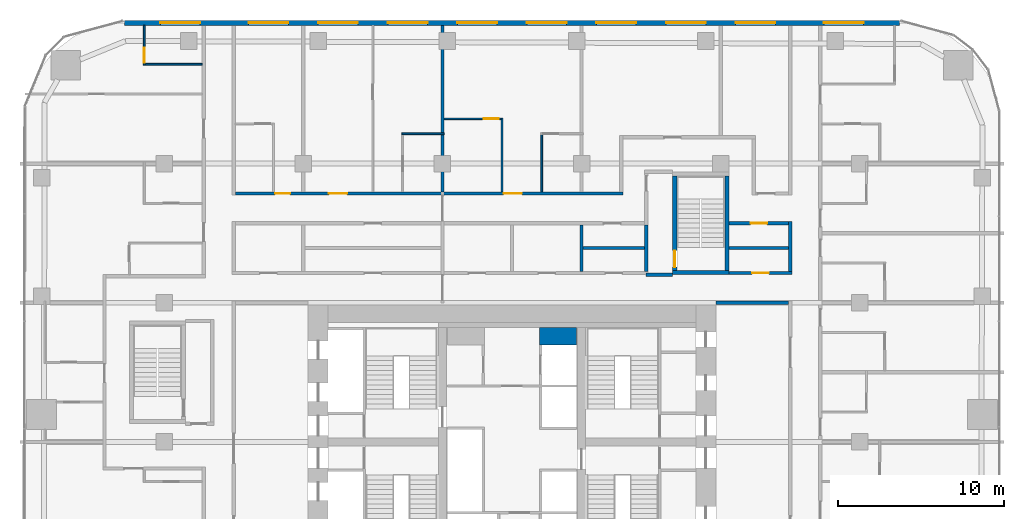
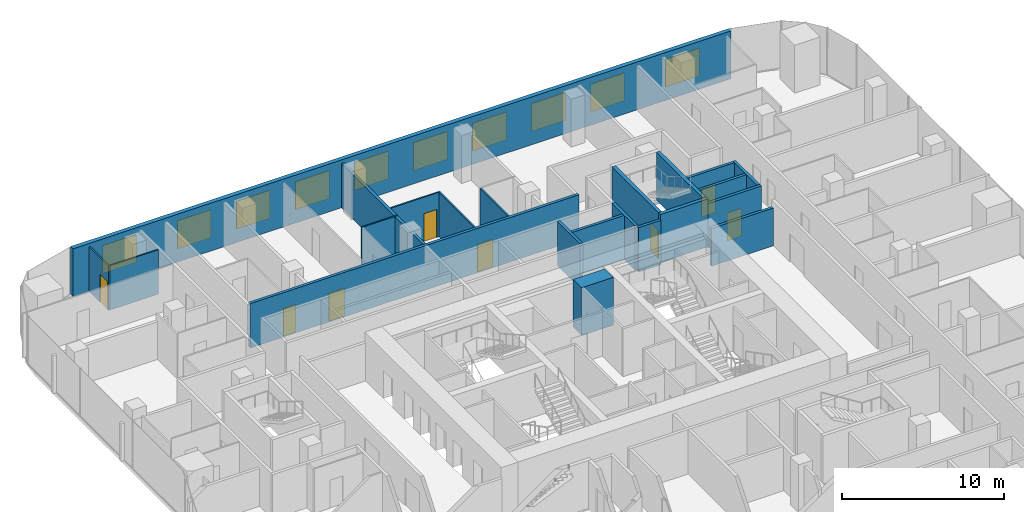
# One storey, part 22 of 26: 22 walls, 10 windows, 8 doors, 18 openings.
"""IFC4 building model written with IfcOpenShell, lengths in metres."""

from ifc_helpers import new_model, si_unit, direction, frame, frame_2d, origin, place, context, subcontext, project, spatial, rectangle, extrude, material, layer, layer_set, type_object, element, fill, save


model = new_model("IFC4")

# Units and contexts
model_context = context("Model", 3, precision=1e-05, world=origin(), true_north=direction((0.0, 1.0)))
body_context = subcontext(model_context, "Body", "Model", "MODEL_VIEW")
ifc_project = project(units=[si_unit("LENGTHUNIT", "METRE"), si_unit("AREAUNIT", "SQUARE_METRE"), si_unit("VOLUMEUNIT", "CUBIC_METRE"), si_unit("PLANEANGLEUNIT", "RADIAN"), si_unit("MASSUNIT", "GRAM", prefix="KILO")], contexts=[model_context])

# Site, building, storey
site_placement = place(None, origin())
site = spatial("IfcSite", under=ifc_project, at=site_placement, CompositionType="ELEMENT")
building_placement = place(site_placement, origin())
building = spatial("IfcBuilding", under=site, at=building_placement, Name="Marenta Gate Hotel Tower", CompositionType="ELEMENT")
storey_placement = place(building_placement, frame((0.0, 0.0, 65.300048828125)))
storey = spatial("IfcBuildingStorey", under=building, at=storey_placement, Name="L14", CompositionType="ELEMENT", Elevation=65.300048828125)

# Wall, openings, windows
ifc_material_1 = material(Name="Concrete C40 board-marked", Category="concrete")
ifc_layer_1 = layer(ifc_material_1, 0.300048828125)
ifc_layer_set_1 = layer_set([ifc_layer_1], Name="Concrete C40 board-marked")
wall_type_1 = type_object("IfcWallType", Name="Board-marked concrete wall 300 mm", PredefinedType="NOTDEFINED", material=ifc_layer_set_1)
wall_1_placement = place(storey_placement, frame((23.406005859375, 33.68994140625, 0.0), z_axis=(0.0, 0.0, 1.0), x_axis=(-1.0, 0.0, 0.0)))
wall_1 = element("IfcWall", 1, at=wall_1_placement, inside=storey, type_object=wall_type_1, Name="L14-CLD-N00", PredefinedType="NOTDEFINED", context=body_context, shape_type="SweptSolid", body=[
    extrude(rectangle(XDim=46.81201171875, YDim=0.300048828125, at=frame_2d((23.406005859375, 0.0))), origin(), (0.0, 0.0, 1.0), 3.599853515625),
])
opening_1_placement = place(wall_1_placement, frame((2.185791015625, 0.0, 0.89990234375)))
opening_1 = element("IfcOpeningElement", 2, at=opening_1_placement, cuts=wall_1, Name="Opening W1", PredefinedType="OPENING", context=body_context, shape_type="SweptSolid", body=[
    extrude(rectangle(XDim=2.39990234375, YDim=2.10009765625, at=frame_2d((1.199951171875, 1.050048828125))), frame((0.0, 0.14990234375, 0.0), z_axis=(0.0, -1.0, 0.0), x_axis=(1.0, 0.0, 0.0)), (0.0, 0.0, 1.0), 0.300048828125),
])
opening_2_placement = place(wall_1_placement, frame((7.505859375, 0.0, 0.89990234375)))
opening_2 = element("IfcOpeningElement", 3, at=opening_2_placement, cuts=wall_1, Name="Opening W1", PredefinedType="OPENING", context=body_context, shape_type="SweptSolid", body=[
    extrude(rectangle(XDim=2.39990234375, YDim=2.10009765625, at=frame_2d((1.199951171875, 1.050048828125))), frame((0.0, 0.14990234375, 0.0), z_axis=(0.0, -1.0, 0.0), x_axis=(1.0, 0.0, 0.0)), (0.0, 0.0, 1.0), 0.300048828125),
])
opening_3_placement = place(wall_1_placement, frame((11.705810546875, 0.0, 0.89990234375)))
opening_3 = element("IfcOpeningElement", 4, at=opening_3_placement, cuts=wall_1, Name="Opening W1", PredefinedType="OPENING", context=body_context, shape_type="SweptSolid", body=[
    extrude(rectangle(XDim=2.39990234375, YDim=2.10009765625, at=frame_2d((1.199951171875, 1.050048828125))), frame((0.0, 0.14990234375, 0.0), z_axis=(0.0, -1.0, 0.0), x_axis=(1.0, 0.0, 0.0)), (0.0, 0.0, 1.0), 0.300048828125),
])
opening_4_placement = place(wall_1_placement, frame((15.906005859375, 0.0, 0.89990234375)))
opening_4 = element("IfcOpeningElement", 5, at=opening_4_placement, cuts=wall_1, Name="Opening W1", PredefinedType="OPENING", context=body_context, shape_type="SweptSolid", body=[
    extrude(rectangle(XDim=2.39990234375, YDim=2.10009765625, at=frame_2d((1.199951171875, 1.050048828125))), frame((0.0, 0.14990234375, 0.0), z_axis=(0.0, -1.0, 0.0), x_axis=(1.0, 0.0, 0.0)), (0.0, 0.0, 1.0), 0.300048828125),
])
opening_5_placement = place(wall_1_placement, frame((20.10595703125, 0.0, 0.89990234375)))
opening_5 = element("IfcOpeningElement", 6, at=opening_5_placement, cuts=wall_1, Name="Opening W1", PredefinedType="OPENING", context=body_context, shape_type="SweptSolid", body=[
    extrude(rectangle(XDim=2.39990234375, YDim=2.10009765625, at=frame_2d((1.199951171875, 1.050048828125))), frame((0.0, 0.14990234375, 0.0), z_axis=(0.0, -1.0, 0.0), x_axis=(1.0, 0.0, 0.0)), (0.0, 0.0, 1.0), 0.300048828125),
])
opening_6_placement = place(wall_1_placement, frame((24.305908203125, 0.0, 0.89990234375)))
opening_6 = element("IfcOpeningElement", 7, at=opening_6_placement, cuts=wall_1, Name="Opening W1", PredefinedType="OPENING", context=body_context, shape_type="SweptSolid", body=[
    extrude(rectangle(XDim=2.39990234375, YDim=2.10009765625, at=frame_2d((1.199951171875, 1.050048828125))), frame((0.0, 0.14990234375, 0.0), z_axis=(0.0, -1.0, 0.0), x_axis=(1.0, 0.0, 0.0)), (0.0, 0.0, 1.0), 0.300048828125),
])
opening_7_placement = place(wall_1_placement, frame((28.505859375, 0.0, 0.89990234375)))
opening_7 = element("IfcOpeningElement", 8, at=opening_7_placement, cuts=wall_1, Name="Opening W1", PredefinedType="OPENING", context=body_context, shape_type="SweptSolid", body=[
    extrude(rectangle(XDim=2.39990234375, YDim=2.10009765625, at=frame_2d((1.199951171875, 1.050048828125))), frame((0.0, 0.14990234375, 0.0), z_axis=(0.0, -1.0, 0.0), x_axis=(1.0, 0.0, 0.0)), (0.0, 0.0, 1.0), 0.300048828125),
])
opening_8_placement = place(wall_1_placement, frame((32.705810546875, 0.0, 0.89990234375)))
opening_8 = element("IfcOpeningElement", 9, at=opening_8_placement, cuts=wall_1, Name="Opening W1", PredefinedType="OPENING", context=body_context, shape_type="SweptSolid", body=[
    extrude(rectangle(XDim=2.39990234375, YDim=2.10009765625, at=frame_2d((1.199951171875, 1.050048828125))), frame((0.0, 0.14990234375, 0.0), z_axis=(0.0, -1.0, 0.0), x_axis=(1.0, 0.0, 0.0)), (0.0, 0.0, 1.0), 0.300048828125),
])
opening_9_placement = place(wall_1_placement, frame((36.906005859375, 0.0, 0.89990234375)))
opening_9 = element("IfcOpeningElement", 10, at=opening_9_placement, cuts=wall_1, Name="Opening W1", PredefinedType="OPENING", context=body_context, shape_type="SweptSolid", body=[
    extrude(rectangle(XDim=2.39990234375, YDim=2.10009765625, at=frame_2d((1.199951171875, 1.050048828125))), frame((0.0, 0.14990234375, 0.0), z_axis=(0.0, -1.0, 0.0), x_axis=(1.0, 0.0, 0.0)), (0.0, 0.0, 1.0), 0.300048828125),
])
opening_10_placement = place(wall_1_placement, frame((42.225830078125, 0.0, 0.89990234375)))
opening_10 = element("IfcOpeningElement", 11, at=opening_10_placement, cuts=wall_1, Name="Opening W1", PredefinedType="OPENING", context=body_context, shape_type="SweptSolid", body=[
    extrude(rectangle(XDim=2.39990234375, YDim=2.10009765625, at=frame_2d((1.199951171875, 1.050048828125))), frame((0.0, 0.14990234375, 0.0), z_axis=(0.0, -1.0, 0.0), x_axis=(1.0, 0.0, 0.0)), (0.0, 0.0, 1.0), 0.300048828125),
])
ifc_material_2 = material(Name="Tinted insulated glass in bronze anodised frame", Category="glass")
window_type = type_object("IfcWindowType", Name="Window W1 2400x2100 bronze frame", PartitioningType="SINGLE_PANEL", PredefinedType="WINDOW", material=ifc_material_2)
window_1_placement = place(opening_1_placement, origin())
window_1 = element("IfcWindow", 12, at=window_1_placement, inside=storey, type_object=window_type, Name="Window W1", OverallHeight=2.10009765625, OverallWidth=2.39990234375, PartitioningType="SINGLE_PANEL", PredefinedType="WINDOW", context=body_context, shape_type="SweptSolid", body=[
    extrude(rectangle(XDim=2.39990234375, YDim=2.10009765625, at=frame_2d((1.199951171875, 1.050048828125))), frame((0.0, 0.030029296875, 0.0), z_axis=(0.0, -1.0, 0.0), x_axis=(1.0, 0.0, 0.0)), (0.0, 0.0, 1.0), 0.06005859375),
])
fill(opening_1, window_1)
window_2_placement = place(opening_2_placement, origin())
window_2 = element("IfcWindow", 13, at=window_2_placement, inside=storey, type_object=window_type, Name="Window W1", OverallHeight=2.10009765625, OverallWidth=2.39990234375, PartitioningType="SINGLE_PANEL", PredefinedType="WINDOW", context=body_context, shape_type="SweptSolid", body=[
    extrude(rectangle(XDim=2.39990234375, YDim=2.10009765625, at=frame_2d((1.199951171875, 1.050048828125))), frame((0.0, 0.030029296875, 0.0), z_axis=(0.0, -1.0, 0.0), x_axis=(1.0, 0.0, 0.0)), (0.0, 0.0, 1.0), 0.06005859375),
])
fill(opening_2, window_2)
window_3_placement = place(opening_3_placement, origin())
window_3 = element("IfcWindow", 14, at=window_3_placement, inside=storey, type_object=window_type, Name="Window W1", OverallHeight=2.10009765625, OverallWidth=2.39990234375, PartitioningType="SINGLE_PANEL", PredefinedType="WINDOW", context=body_context, shape_type="SweptSolid", body=[
    extrude(rectangle(XDim=2.39990234375, YDim=2.10009765625, at=frame_2d((1.199951171875, 1.050048828125))), frame((0.0, 0.030029296875, 0.0), z_axis=(0.0, -1.0, 0.0), x_axis=(1.0, 0.0, 0.0)), (0.0, 0.0, 1.0), 0.06005859375),
])
fill(opening_3, window_3)
window_4_placement = place(opening_4_placement, origin())
window_4 = element("IfcWindow", 15, at=window_4_placement, inside=storey, type_object=window_type, Name="Window W1", OverallHeight=2.10009765625, OverallWidth=2.39990234375, PartitioningType="SINGLE_PANEL", PredefinedType="WINDOW", context=body_context, shape_type="SweptSolid", body=[
    extrude(rectangle(XDim=2.39990234375, YDim=2.10009765625, at=frame_2d((1.199951171875, 1.050048828125))), frame((0.0, 0.030029296875, 0.0), z_axis=(0.0, -1.0, 0.0), x_axis=(1.0, 0.0, 0.0)), (0.0, 0.0, 1.0), 0.06005859375),
])
fill(opening_4, window_4)
window_5_placement = place(opening_5_placement, origin())
window_5 = element("IfcWindow", 16, at=window_5_placement, inside=storey, type_object=window_type, Name="Window W1", OverallHeight=2.10009765625, OverallWidth=2.39990234375, PartitioningType="SINGLE_PANEL", PredefinedType="WINDOW", context=body_context, shape_type="SweptSolid", body=[
    extrude(rectangle(XDim=2.39990234375, YDim=2.10009765625, at=frame_2d((1.199951171875, 1.050048828125))), frame((0.0, 0.030029296875, 0.0), z_axis=(0.0, -1.0, 0.0), x_axis=(1.0, 0.0, 0.0)), (0.0, 0.0, 1.0), 0.06005859375),
])
fill(opening_5, window_5)
window_6_placement = place(opening_6_placement, origin())
window_6 = element("IfcWindow", 17, at=window_6_placement, inside=storey, type_object=window_type, Name="Window W1", OverallHeight=2.10009765625, OverallWidth=2.39990234375, PartitioningType="SINGLE_PANEL", PredefinedType="WINDOW", context=body_context, shape_type="SweptSolid", body=[
    extrude(rectangle(XDim=2.39990234375, YDim=2.10009765625, at=frame_2d((1.199951171875, 1.050048828125))), frame((0.0, 0.030029296875, 0.0), z_axis=(0.0, -1.0, 0.0), x_axis=(1.0, 0.0, 0.0)), (0.0, 0.0, 1.0), 0.06005859375),
])
fill(opening_6, window_6)
window_7_placement = place(opening_7_placement, origin())
window_7 = element("IfcWindow", 18, at=window_7_placement, inside=storey, type_object=window_type, Name="Window W1", OverallHeight=2.10009765625, OverallWidth=2.39990234375, PartitioningType="SINGLE_PANEL", PredefinedType="WINDOW", context=body_context, shape_type="SweptSolid", body=[
    extrude(rectangle(XDim=2.39990234375, YDim=2.10009765625, at=frame_2d((1.199951171875, 1.050048828125))), frame((0.0, 0.030029296875, 0.0), z_axis=(0.0, -1.0, 0.0), x_axis=(1.0, 0.0, 0.0)), (0.0, 0.0, 1.0), 0.06005859375),
])
fill(opening_7, window_7)
window_8_placement = place(opening_8_placement, origin())
window_8 = element("IfcWindow", 19, at=window_8_placement, inside=storey, type_object=window_type, Name="Window W1", OverallHeight=2.10009765625, OverallWidth=2.39990234375, PartitioningType="SINGLE_PANEL", PredefinedType="WINDOW", context=body_context, shape_type="SweptSolid", body=[
    extrude(rectangle(XDim=2.39990234375, YDim=2.10009765625, at=frame_2d((1.199951171875, 1.050048828125))), frame((0.0, 0.030029296875, 0.0), z_axis=(0.0, -1.0, 0.0), x_axis=(1.0, 0.0, 0.0)), (0.0, 0.0, 1.0), 0.06005859375),
])
fill(opening_8, window_8)
window_9_placement = place(opening_9_placement, origin())
window_9 = element("IfcWindow", 20, at=window_9_placement, inside=storey, type_object=window_type, Name="Window W1", OverallHeight=2.10009765625, OverallWidth=2.39990234375, PartitioningType="SINGLE_PANEL", PredefinedType="WINDOW", context=body_context, shape_type="SweptSolid", body=[
    extrude(rectangle(XDim=2.39990234375, YDim=2.10009765625, at=frame_2d((1.199951171875, 1.050048828125))), frame((0.0, 0.030029296875, 0.0), z_axis=(0.0, -1.0, 0.0), x_axis=(1.0, 0.0, 0.0)), (0.0, 0.0, 1.0), 0.06005859375),
])
fill(opening_9, window_9)
window_10_placement = place(opening_10_placement, origin())
window_10 = element("IfcWindow", 21, at=window_10_placement, inside=storey, type_object=window_type, Name="Window W1", OverallHeight=2.10009765625, OverallWidth=2.39990234375, PartitioningType="SINGLE_PANEL", PredefinedType="WINDOW", context=body_context, shape_type="SweptSolid", body=[
    extrude(rectangle(XDim=2.39990234375, YDim=2.10009765625, at=frame_2d((1.199951171875, 1.050048828125))), frame((0.0, 0.030029296875, 0.0), z_axis=(0.0, -1.0, 0.0), x_axis=(1.0, 0.0, 0.0)), (0.0, 0.0, 1.0), 0.06005859375),
])
fill(opening_10, window_10)

# Walls
ifc_material_3 = material(Name="Concrete blockwork", Category="masonry")
ifc_layer_2 = layer(ifc_material_3, 0.199951171875)
ifc_layer_set_2 = layer_set([ifc_layer_2], Name="Concrete blockwork")
wall_type_2 = type_object("IfcWallType", Name="Compartment wall 200 REI 180", PredefinedType="PARTITIONING", material=ifc_layer_set_2)
wall_2_placement = place(storey_placement, frame((-4.199951171875, 23.5, 0.0), z_axis=(0.0, 0.0, 1.0), x_axis=(0.0, 1.0, 0.0)))
element("IfcWall", 22, at=wall_2_placement, inside=storey, type_object=wall_type_2, Name="L14-PTN-W082", PredefinedType="PARTITIONING", context=body_context, shape_type="SweptSolid", body=[
    extrude(rectangle(XDim=10.0400390625, YDim=0.199951171875, at=frame_2d((5.02001953125, 0.0))), origin(), (0.0, 0.0, 1.0), 3.33984375),
])
ifc_material_4 = material(Name="Concrete blockwork", Category="masonry")
ifc_layer_3 = layer(ifc_material_4, 0.199951171875)
ifc_layer_set_3 = layer_set([ifc_layer_3], Name="Concrete blockwork")
wall_type_3 = type_object("IfcWallType", Name="Core boundary wall 200 REI 180", PredefinedType="PARTITIONING", material=ifc_layer_set_3)
wall_3_placement = place(storey_placement, frame((12.300048828125, 16.800048828125, 0.0), z_axis=(0.0, 0.0, 1.0), x_axis=(1.0, 0.0, 0.0)))
element("IfcWall", 23, at=wall_3_placement, inside=storey, type_object=wall_type_3, Name="L14-CP-EW-EN", PredefinedType="PARTITIONING", context=body_context, shape_type="SweptSolid", body=[
    extrude(rectangle(XDim=4.39990234375, YDim=0.199951171875, at=frame_2d((2.199951171875, 0.0))), origin(), (0.0, 0.0, 1.0), 2.83984375),
])
ifc_material_5 = material(Name="Concrete C40", Category="concrete")
ifc_layer_4 = layer(ifc_material_5, 1.050048828125)
ifc_layer_set_4 = layer_set([ifc_layer_4], Name="Concrete C40")
wall_type_4 = type_object("IfcWallType", Name="Core shaft wall 1050 REI 180", PredefinedType="SHEAR", material=ifc_layer_set_4)
wall_4_placement = place(storey_placement, frame((1.64990234375, 14.77490234375, 0.0), z_axis=(0.0, 0.0, 1.0), x_axis=(1.0, 0.0, 0.0)))
element("IfcWall", 24, at=wall_4_placement, inside=storey, type_object=wall_type_4, Name="L14-SHF-CE-N-top", PredefinedType="SHEAR", context=body_context, shape_type="SweptSolid", body=[
    extrude(rectangle(XDim=2.25, YDim=1.050048828125, at=frame_2d((1.125, 0.0))), origin(), (0.0, 0.0, 1.0), 3.599853515625),
])
ifc_material_6 = material(Name="Concrete C40", Category="concrete")
ifc_layer_5 = layer(ifc_material_6, 0.25)
ifc_layer_set_5 = layer_set([ifc_layer_5], Name="Concrete C40")
wall_type_5 = type_object("IfcWallType", Name="Remote stair enclosure wall 250 REI 180", PredefinedType="SHEAR", material=ifc_layer_set_5)
wall_5_placement = place(storey_placement, frame((9.699951171875, 18.625, 0.099853515625), z_axis=(0.0, 0.0, 1.0), x_axis=(1.0, 0.0, 0.0)))
element("IfcWall", 25, at=wall_5_placement, inside=storey, type_object=wall_type_5, Name="L14-RS-Z1-4-W1", PredefinedType="SHEAR", context=body_context, shape_type="SweptSolid", body=[
    extrude(rectangle(XDim=3.400146484375, YDim=0.25, at=frame_2d((1.7001953125, 0.0))), origin(), (0.0, 0.0, 1.0), 3.60009765625),
])

# Wall, opening, door
wall_6_placement = place(storey_placement, frame((9.824951171875, 18.75, 0.099853515625), z_axis=(0.0, 0.0, 1.0), x_axis=(0.0, 1.0, 0.0)))
wall_6 = element("IfcWall", 26, at=wall_6_placement, inside=storey, type_object=wall_type_5, Name="L14-RS-Z1-4-W3", PredefinedType="SHEAR", context=body_context, shape_type="SweptSolid", body=[
    extrude(rectangle(XDim=5.699951171875, YDim=0.25, at=frame_2d((2.85009765625, 0.0))), origin(), (0.0, 0.0, 1.0), 3.60009765625),
])
opening_11_placement = place(wall_6_placement, frame((0.199951171875, 0.0, 0.0)))
opening_11 = element("IfcOpeningElement", 27, at=opening_11_placement, cuts=wall_6, Name="Opening VD", PredefinedType="OPENING", context=body_context, shape_type="SweptSolid", body=[
    extrude(rectangle(XDim=1.0, YDim=2.10009765625, at=frame_2d((0.5, 1.050048828125))), frame((0.0, 0.125, 0.0), z_axis=(0.0, -1.0, 0.0), x_axis=(1.0, 0.0, 0.0)), (0.0, 0.0, 1.0), 0.25),
])
ifc_material_7 = material(Name="Steel", Category="steel")
door_type_1 = type_object("IfcDoorType", Name="Stair vestibule door 1000x2100 FD60", OperationType="SINGLE_SWING_LEFT", PredefinedType="DOOR", material=ifc_material_7)
door_1_placement = place(opening_11_placement, origin())
door_1 = element("IfcDoor", 28, at=door_1_placement, inside=storey, type_object=door_type_1, Name="VD", OperationType="SINGLE_SWING_LEFT", OverallHeight=2.10009765625, OverallWidth=1.0, PredefinedType="DOOR", context=body_context, shape_type="SweptSolid", body=[
    extrude(rectangle(XDim=1.0, YDim=2.10009765625, at=frame_2d((0.5, 1.050048828125))), frame((0.0, 0.02490234375, 0.0), z_axis=(0.0, -1.0, 0.0), x_axis=(1.0, 0.0, 0.0)), (0.0, 0.0, 1.0), 0.050048828125),
])
fill(opening_11, door_1)

# Walls
wall_7_placement = place(storey_placement, frame((12.97509765625, 18.75, 0.099853515625), z_axis=(0.0, 0.0, 1.0), x_axis=(0.0, 1.0, 0.0)))
element("IfcWall", 29, at=wall_7_placement, inside=storey, type_object=wall_type_5, Name="L14-RS-Z1-4-W4", PredefinedType="SHEAR", context=body_context, shape_type="SweptSolid", body=[
    extrude(rectangle(XDim=5.699951171875, YDim=0.25, at=frame_2d((2.85009765625, 0.0))), origin(), (0.0, 0.0, 1.0), 3.60009765625),
])
ifc_material_8 = material(Name="Gypsum board on steel stud", Category="steel")
ifc_layer_6 = layer(ifc_material_8, 0.199951171875)
ifc_layer_set_6 = layer_set([ifc_layer_6], Name="Gypsum board on steel stud")
wall_type_6 = type_object("IfcWallType", Name="Room corridor wall 200 EI 60", PredefinedType="PARTITIONING", material=ifc_layer_set_6)
wall_8_placement = place(storey_placement, frame((16.800048828125, 18.699951171875, 0.0), z_axis=(0.0, 0.0, 1.0), x_axis=(0.0, 1.0, 0.0)))
element("IfcWall", 30, at=wall_8_placement, inside=storey, type_object=wall_type_6, Name="L14-PTN-W017", PredefinedType="PARTITIONING", context=body_context, shape_type="SweptSolid", body=[
    extrude(rectangle(XDim=3.0, YDim=0.199951171875, at=frame_2d((1.5, 0.0))), origin(), (0.0, 0.0, 1.0), 3.33984375),
])

# Wall, opening, door
wall_9_placement = place(storey_placement, frame((13.10009765625, 18.60009765625, 0.0), z_axis=(0.0, 0.0, 1.0), x_axis=(1.0, 0.0, 0.0)))
wall_9 = element("IfcWall", 31, at=wall_9_placement, inside=storey, type_object=wall_type_6, Name="L14-PTN-W118", PredefinedType="PARTITIONING", context=body_context, shape_type="SweptSolid", body=[
    extrude(rectangle(XDim=3.7998046875, YDim=0.199951171875, at=frame_2d((1.89990234375, 0.0))), origin(), (0.0, 0.0, 1.0), 3.33984375),
])
opening_12_placement = place(wall_9_placement, frame((1.39990234375, 0.0, 0.0)))
opening_12 = element("IfcOpeningElement", 32, at=opening_12_placement, cuts=wall_9, Name="Opening G05-76", PredefinedType="OPENING", context=body_context, shape_type="SweptSolid", body=[
    extrude(rectangle(XDim=1.0, YDim=2.10009765625, at=frame_2d((0.5, 1.050048828125))), frame((0.0, 0.10009765625, 0.0), z_axis=(0.0, -1.0, 0.0), x_axis=(1.0, 0.0, 0.0)), (0.0, 0.0, 1.0), 0.199951171875),
])
ifc_material_9 = material(Name="Timber door leaf", Category="wood")
door_type_2 = type_object("IfcDoorType", Name="Room amenity door 1000x2100 EI 30", OperationType="NOTDEFINED", PredefinedType="DOOR", material=ifc_material_9)
door_2_placement = place(opening_12_placement, origin())
door_2 = element("IfcDoor", 33, at=door_2_placement, inside=storey, type_object=door_type_2, Name="L14-PD-D076", OperationType="SINGLE_SWING_LEFT", OverallHeight=2.10009765625, OverallWidth=1.0, PredefinedType="DOOR", context=body_context, shape_type="SweptSolid", body=[
    extrude(rectangle(XDim=1.0, YDim=2.10009765625, at=frame_2d((0.5, 1.050048828125))), frame((0.0, 0.02490234375, 0.0), z_axis=(0.0, -1.0, 0.0), x_axis=(1.0, 0.0, 0.0)), (0.0, 0.0, 1.0), 0.050048828125),
])
fill(opening_12, door_2)

wall_10_placement = place(storey_placement, frame((13.10009765625, 21.60009765625, 0.0), z_axis=(0.0, 0.0, 1.0), x_axis=(1.0, 0.0, 0.0)))
wall_10 = element("IfcWall", 34, at=wall_10_placement, inside=storey, type_object=wall_type_6, Name="L14-PTN-W128", PredefinedType="PARTITIONING", context=body_context, shape_type="SweptSolid", body=[
    extrude(rectangle(XDim=3.599853515625, YDim=0.199951171875, at=frame_2d((1.7998046875, 0.0))), origin(), (0.0, 0.0, 1.0), 3.33984375),
])
opening_13_placement = place(wall_10_placement, frame((1.300048828125, 0.0, 0.0)))
opening_13 = element("IfcOpeningElement", 35, at=opening_13_placement, cuts=wall_10, Name="Opening G05-77", PredefinedType="OPENING", context=body_context, shape_type="SweptSolid", body=[
    extrude(rectangle(XDim=1.0, YDim=2.10009765625, at=frame_2d((0.5, 1.050048828125))), frame((0.0, 0.10009765625, 0.0), z_axis=(0.0, -1.0, 0.0), x_axis=(1.0, 0.0, 0.0)), (0.0, 0.0, 1.0), 0.199951171875),
])
door_3_placement = place(opening_13_placement, origin())
door_3 = element("IfcDoor", 36, at=door_3_placement, inside=storey, type_object=door_type_2, Name="L14-PD-D077", OperationType="SINGLE_SWING_RIGHT", OverallHeight=2.10009765625, OverallWidth=1.0, PredefinedType="DOOR", context=body_context, shape_type="SweptSolid", body=[
    extrude(rectangle(XDim=1.0, YDim=2.10009765625, at=frame_2d((0.5, 1.050048828125))), frame((0.0, 0.02490234375, 0.0), z_axis=(0.0, -1.0, 0.0), x_axis=(1.0, 0.0, 0.0)), (0.0, 0.0, 1.0), 0.050048828125),
])
fill(opening_13, door_3)

# Wall, openings, doors
wall_11_placement = place(storey_placement, frame((-16.699951171875, 23.39990234375, 0.0), z_axis=(0.0, 0.0, 1.0), x_axis=(1.0, 0.0, 0.0)))
wall_11 = element("IfcWall", 37, at=wall_11_placement, inside=storey, type_object=wall_type_6, Name="L14-PTN-W137", PredefinedType="PARTITIONING", context=body_context, shape_type="SweptSolid", body=[
    extrude(rectangle(XDim=23.39990234375, YDim=0.199951171875, at=frame_2d((11.699951171875, 0.0))), origin(), (0.0, 0.0, 1.0), 3.33984375),
])
opening_14_placement = place(wall_11_placement, frame((2.39990234375, 0.0, 0.0)))
opening_14 = element("IfcOpeningElement", 38, at=opening_14_placement, cuts=wall_11, Name="Opening G05-26", PredefinedType="OPENING", context=body_context, shape_type="SweptSolid", body=[
    extrude(rectangle(XDim=0.89990234375, YDim=2.10009765625, at=frame_2d((0.449951171875, 1.050048828125))), frame((0.0, 0.10009765625, 0.0), z_axis=(0.0, -1.0, 0.0), x_axis=(1.0, 0.0, 0.0)), (0.0, 0.0, 1.0), 0.199951171875),
])
opening_15_placement = place(wall_11_placement, frame((5.64990234375, 0.0, 0.0)))
opening_15 = element("IfcOpeningElement", 39, at=opening_15_placement, cuts=wall_11, Name="Opening G05-28", PredefinedType="OPENING", context=body_context, shape_type="SweptSolid", body=[
    extrude(rectangle(XDim=1.10009765625, YDim=2.10009765625, at=frame_2d((0.550048828125, 1.050048828125))), frame((0.0, 0.10009765625, 0.0), z_axis=(0.0, -1.0, 0.0), x_axis=(1.0, 0.0, 0.0)), (0.0, 0.0, 1.0), 0.199951171875),
])
opening_16_placement = place(wall_11_placement, frame((16.199951171875, 0.0, 0.0)))
opening_16 = element("IfcOpeningElement", 40, at=opening_16_placement, cuts=wall_11, Name="Opening G05-31", PredefinedType="OPENING", context=body_context, shape_type="SweptSolid", body=[
    extrude(rectangle(XDim=1.10009765625, YDim=2.10009765625, at=frame_2d((0.550048828125, 1.050048828125))), frame((0.0, 0.10009765625, 0.0), z_axis=(0.0, -1.0, 0.0), x_axis=(1.0, 0.0, 0.0)), (0.0, 0.0, 1.0), 0.199951171875),
])
ifc_material_10 = material(Name="Timber door leaf", Category="wood")
door_type_3 = type_object("IfcDoorType", Name="Guest room door 1100x2100 EI 30", OperationType="NOTDEFINED", PredefinedType="DOOR", material=ifc_material_10)
door_4_placement = place(opening_15_placement, origin())
door_4 = element("IfcDoor", 41, at=door_4_placement, inside=storey, type_object=door_type_3, Name="L14-PD-D028", OperationType="SINGLE_SWING_LEFT", OverallHeight=2.10009765625, OverallWidth=1.10009765625, PredefinedType="DOOR", context=body_context, shape_type="SweptSolid", body=[
    extrude(rectangle(XDim=1.10009765625, YDim=2.10009765625, at=frame_2d((0.550048828125, 1.050048828125))), frame((0.0, 0.02490234375, 0.0), z_axis=(0.0, -1.0, 0.0), x_axis=(1.0, 0.0, 0.0)), (0.0, 0.0, 1.0), 0.050048828125),
])
fill(opening_15, door_4)
door_5_placement = place(opening_16_placement, origin())
door_5 = element("IfcDoor", 42, at=door_5_placement, inside=storey, type_object=door_type_3, Name="L14-PD-D031", OperationType="SINGLE_SWING_LEFT", OverallHeight=2.10009765625, OverallWidth=1.10009765625, PredefinedType="DOOR", context=body_context, shape_type="SweptSolid", body=[
    extrude(rectangle(XDim=1.10009765625, YDim=2.10009765625, at=frame_2d((0.550048828125, 1.050048828125))), frame((0.0, 0.02490234375, 0.0), z_axis=(0.0, -1.0, 0.0), x_axis=(1.0, 0.0, 0.0)), (0.0, 0.0, 1.0), 0.050048828125),
])
fill(opening_16, door_5)
ifc_material_11 = material(Name="Timber door leaf", Category="wood")
door_type_4 = type_object("IfcDoorType", Name="Guest room door 900x2100 EI 30", OperationType="NOTDEFINED", PredefinedType="DOOR", material=ifc_material_11)
door_6_placement = place(opening_14_placement, origin())
door_6 = element("IfcDoor", 43, at=door_6_placement, inside=storey, type_object=door_type_4, Name="L14-PD-D026", OperationType="SINGLE_SWING_LEFT", OverallHeight=2.10009765625, OverallWidth=0.89990234375, PredefinedType="DOOR", context=body_context, shape_type="SweptSolid", body=[
    extrude(rectangle(XDim=0.89990234375, YDim=2.10009765625, at=frame_2d((0.449951171875, 1.050048828125))), frame((0.0, 0.02490234375, 0.0), z_axis=(0.0, -1.0, 0.0), x_axis=(1.0, 0.0, 0.0)), (0.0, 0.0, 1.0), 0.050048828125),
])
fill(opening_14, door_6)

# Walls
ifc_material_12 = material(Name="Concrete blockwork", Category="masonry")
ifc_layer_7 = layer(ifc_material_12, 0.199951171875)
ifc_layer_set_7 = layer_set([ifc_layer_7], Name="Concrete blockwork")
wall_type_7 = type_object("IfcWallType", Name="Room corridor wall 200 REI 180", PredefinedType="PARTITIONING", material=ifc_layer_set_7)
wall_12_placement = place(storey_placement, frame((8.10009765625, 18.5, 0.0), z_axis=(0.0, 0.0, 1.0), x_axis=(1.0, 0.0, 0.0)))
element("IfcWall", 44, at=wall_12_placement, inside=storey, type_object=wall_type_7, Name="L14-PTN-W114", PredefinedType="PARTITIONING", context=body_context, shape_type="SweptSolid", body=[
    extrude(rectangle(XDim=1.599853515625, YDim=0.199951171875, at=frame_2d((0.7998046875, 0.0))), origin(), (0.0, 0.0, 1.0), 3.33984375),
])
ifc_material_13 = material(Name="Gypsum board on steel stud", Category="steel")
ifc_layer_8 = layer(ifc_material_13, 0.10009765625)
ifc_layer_set_8 = layer_set([ifc_layer_8], Name="Gypsum board on steel stud")
wall_type_8 = type_object("IfcWallType", Name="Room partition 100", PredefinedType="PARTITIONING", material=ifc_layer_set_8)
wall_13_placement = place(storey_placement, frame((1.800048828125, 23.5, 0.0), z_axis=(0.0, 0.0, 1.0), x_axis=(0.0, 1.0, 0.0)))
element("IfcWall", 45, at=wall_13_placement, inside=storey, type_object=wall_type_8, Name="L14-PTN-W067", PredefinedType="PARTITIONING", context=body_context, shape_type="SweptSolid", body=[
    extrude(rectangle(XDim=3.449951171875, YDim=0.10009765625, at=frame_2d((1.72509765625, 0.0))), origin(), (0.0, 0.0, 1.0), 3.33984375),
])
wall_14_placement = place(storey_placement, frame((-0.60009765625, 23.5, 0.0), z_axis=(0.0, 0.0, 1.0), x_axis=(0.0, 1.0, 0.0)))
element("IfcWall", 46, at=wall_14_placement, inside=storey, type_object=wall_type_8, Name="L14-PTN-W076", PredefinedType="PARTITIONING", context=body_context, shape_type="SweptSolid", body=[
    extrude(rectangle(XDim=4.449951171875, YDim=0.10009765625, at=frame_2d((2.22509765625, 0.0))), origin(), (0.0, 0.0, 1.0), 3.33984375),
])

# Wall, opening, door
wall_15_placement = place(storey_placement, frame((-22.199951171875, 31.14990234375, 0.0), z_axis=(0.0, 0.0, 1.0), x_axis=(0.0, 1.0, 0.0)))
wall_15 = element("IfcWall", 47, at=wall_15_placement, inside=storey, type_object=wall_type_8, Name="L14-PTN-W132", PredefinedType="PARTITIONING", context=body_context, shape_type="SweptSolid", body=[
    extrude(rectangle(XDim=2.39013671875, YDim=0.10009765625, at=frame_2d((1.195068359375, 0.0))), origin(), (0.0, 0.0, 1.0), 3.33984375),
])
opening_17_placement = place(wall_15_placement, frame((0.14990234375, 0.0, 0.0)))
opening_17 = element("IfcOpeningElement", 48, at=opening_17_placement, cuts=wall_15, Name="Opening G05-65", PredefinedType="OPENING", context=body_context, shape_type="SweptSolid", body=[
    extrude(rectangle(XDim=0.89990234375, YDim=2.10009765625, at=frame_2d((0.449951171875, 1.050048828125))), frame((0.0, 0.050048828125, 0.0), z_axis=(0.0, -1.0, 0.0), x_axis=(1.0, 0.0, 0.0)), (0.0, 0.0, 1.0), 0.10009765625),
])
ifc_material_14 = material(Name="Timber door leaf", Category="wood")
door_type_5 = type_object("IfcDoorType", Name="Guest bathroom door 900x2100", OperationType="NOTDEFINED", PredefinedType="DOOR", material=ifc_material_14)
door_7_placement = place(opening_17_placement, origin())
door_7 = element("IfcDoor", 49, at=door_7_placement, inside=storey, type_object=door_type_5, Name="L14-PD-D065", OperationType="SINGLE_SWING_RIGHT", OverallHeight=2.10009765625, OverallWidth=0.89990234375, PredefinedType="DOOR", context=body_context, shape_type="SweptSolid", body=[
    extrude(rectangle(XDim=0.89990234375, YDim=2.10009765625, at=frame_2d((0.449951171875, 1.050048828125))), frame((0.0, 0.02490234375, 0.0), z_axis=(0.0, -1.0, 0.0), x_axis=(1.0, 0.0, 0.0)), (0.0, 0.0, 1.0), 0.050048828125),
])
fill(opening_17, door_7)

# Wall
wall_16_placement = place(storey_placement, frame((-6.64990234375, 27.0, 0.0), z_axis=(0.0, 0.0, 1.0), x_axis=(1.0, 0.0, 0.0)))
element("IfcWall", 50, at=wall_16_placement, inside=storey, type_object=wall_type_8, Name="L14-PTN-W144", PredefinedType="PARTITIONING", context=body_context, shape_type="SweptSolid", body=[
    extrude(rectangle(XDim=2.5498046875, YDim=0.10009765625, at=frame_2d((1.27490234375, 0.0))), origin(), (0.0, 0.0, 1.0), 3.33984375),
])

# Wall, opening, door
wall_17_placement = place(storey_placement, frame((-4.10009765625, 27.89990234375, 0.0), z_axis=(0.0, 0.0, 1.0), x_axis=(1.0, 0.0, 0.0)))
wall_17 = element("IfcWall", 51, at=wall_17_placement, inside=storey, type_object=wall_type_8, Name="L14-PTN-W148", PredefinedType="PARTITIONING", context=body_context, shape_type="SweptSolid", body=[
    extrude(rectangle(XDim=3.4501953125, YDim=0.10009765625, at=frame_2d((1.72509765625, 0.0))), origin(), (0.0, 0.0, 1.0), 3.33984375),
])
opening_18_placement = place(wall_17_placement, frame((2.39990234375, 0.0, 0.0)))
opening_18 = element("IfcOpeningElement", 52, at=opening_18_placement, cuts=wall_17, Name="Opening G05-32", PredefinedType="OPENING", context=body_context, shape_type="SweptSolid", body=[
    extrude(rectangle(XDim=0.89990234375, YDim=2.10009765625, at=frame_2d((0.449951171875, 1.050048828125))), frame((0.0, 0.050048828125, 0.0), z_axis=(0.0, -1.0, 0.0), x_axis=(1.0, 0.0, 0.0)), (0.0, 0.0, 1.0), 0.10009765625),
])
door_8_placement = place(opening_18_placement, origin())
door_8 = element("IfcDoor", 53, at=door_8_placement, inside=storey, type_object=door_type_5, Name="L14-PD-D032", OperationType="SINGLE_SWING_LEFT", OverallHeight=2.10009765625, OverallWidth=0.89990234375, PredefinedType="DOOR", context=body_context, shape_type="SweptSolid", body=[
    extrude(rectangle(XDim=0.89990234375, YDim=2.10009765625, at=frame_2d((0.449951171875, 1.050048828125))), frame((0.0, 0.02490234375, 0.0), z_axis=(0.0, -1.0, 0.0), x_axis=(1.0, 0.0, 0.0)), (0.0, 0.0, 1.0), 0.050048828125),
])
fill(opening_18, door_8)

# Walls
wall_18_placement = place(storey_placement, frame((-22.14990234375, 31.199951171875, 0.0), z_axis=(0.0, 0.0, 1.0), x_axis=(1.0, 0.0, 0.0)))
element("IfcWall", 54, at=wall_18_placement, inside=storey, type_object=wall_type_8, Name="L14-PTN-W153", PredefinedType="PARTITIONING", context=body_context, shape_type="SweptSolid", body=[
    extrude(rectangle(XDim=3.449951171875, YDim=0.10009765625, at=frame_2d((1.72509765625, 0.0))), origin(), (0.0, 0.0, 1.0), 3.33984375),
])
ifc_material_15 = material(Name="Gypsum board on steel stud", Category="steel")
ifc_layer_9 = layer(ifc_material_15, 0.199951171875)
ifc_layer_set_9 = layer_set([ifc_layer_9], Name="Gypsum board on steel stud")
wall_type_9 = type_object("IfcWallType", Name="Room party wall 200 EI 60", PredefinedType="PARTITIONING", material=ifc_layer_set_9)
wall_19_placement = place(storey_placement, frame((4.199951171875, 18.699951171875, 0.0), z_axis=(0.0, 0.0, 1.0), x_axis=(0.0, 1.0, 0.0)))
element("IfcWall", 55, at=wall_19_placement, inside=storey, type_object=wall_type_9, Name="L14-PTN-W058", PredefinedType="PARTITIONING", context=body_context, shape_type="SweptSolid", body=[
    extrude(rectangle(XDim=2.800048828125, YDim=0.199951171875, at=frame_2d((1.39990234375, 0.0))), origin(), (0.0, 0.0, 1.0), 3.33984375),
])
wall_20_placement = place(storey_placement, frame((4.10009765625, 20.10009765625, 0.0), z_axis=(0.0, 0.0, 1.0), x_axis=(1.0, 0.0, 0.0)))
element("IfcWall", 56, at=wall_20_placement, inside=storey, type_object=wall_type_9, Name="L14-PTN-W121", PredefinedType="PARTITIONING", context=body_context, shape_type="SweptSolid", body=[
    extrude(rectangle(XDim=3.89990234375, YDim=0.199951171875, at=frame_2d((1.949951171875, 0.0))), origin(), (0.0, 0.0, 1.0), 3.33984375),
])
wall_21_placement = place(storey_placement, frame((13.10009765625, 20.10009765625, 0.0), z_axis=(0.0, 0.0, 1.0), x_axis=(1.0, 0.0, 0.0)))
element("IfcWall", 57, at=wall_21_placement, inside=storey, type_object=wall_type_9, Name="L14-PTN-W122", PredefinedType="PARTITIONING", context=body_context, shape_type="SweptSolid", body=[
    extrude(rectangle(XDim=3.599853515625, YDim=0.199951171875, at=frame_2d((1.7998046875, 0.0))), origin(), (0.0, 0.0, 1.0), 3.33984375),
])
ifc_material_16 = material(Name="Concrete blockwork", Category="masonry")
ifc_layer_10 = layer(ifc_material_16, 0.199951171875)
ifc_layer_set_10 = layer_set([ifc_layer_10], Name="Concrete blockwork")
wall_type_10 = type_object("IfcWallType", Name="Room party wall 200 REI 180", PredefinedType="PARTITIONING", material=ifc_layer_set_10)
wall_22_placement = place(storey_placement, frame((8.10009765625, 18.699951171875, 0.0), z_axis=(0.0, 0.0, 1.0), x_axis=(0.0, 1.0, 0.0)))
element("IfcWall", 58, at=wall_22_placement, inside=storey, type_object=wall_type_10, Name="L14-PTN-W047", PredefinedType="PARTITIONING", context=body_context, shape_type="SweptSolid", body=[
    extrude(rectangle(XDim=2.800048828125, YDim=0.199951171875, at=frame_2d((1.39990234375, 0.0))), origin(), (0.0, 0.0, 1.0), 3.33984375),
])

save(model, "model.ifc")
